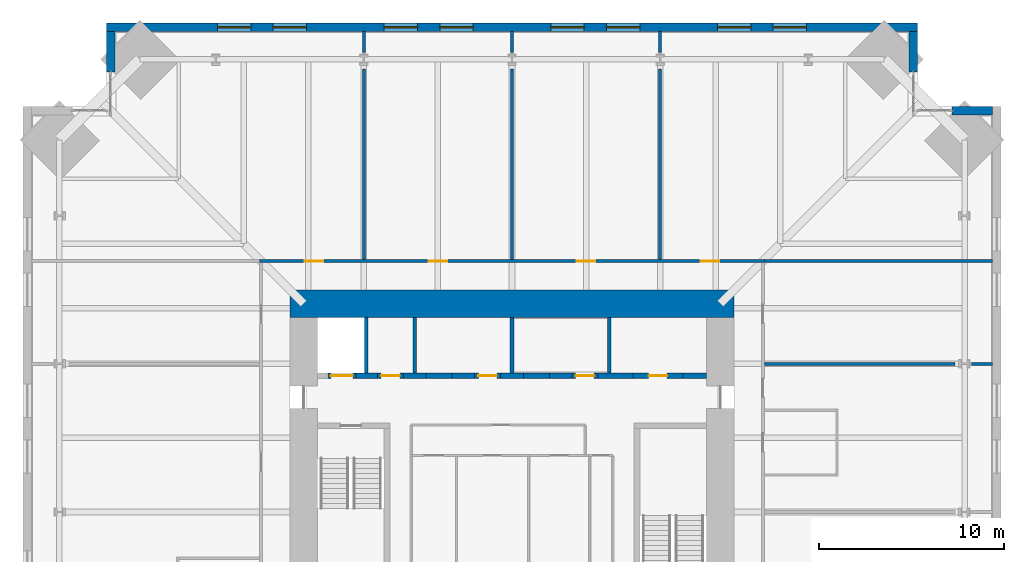
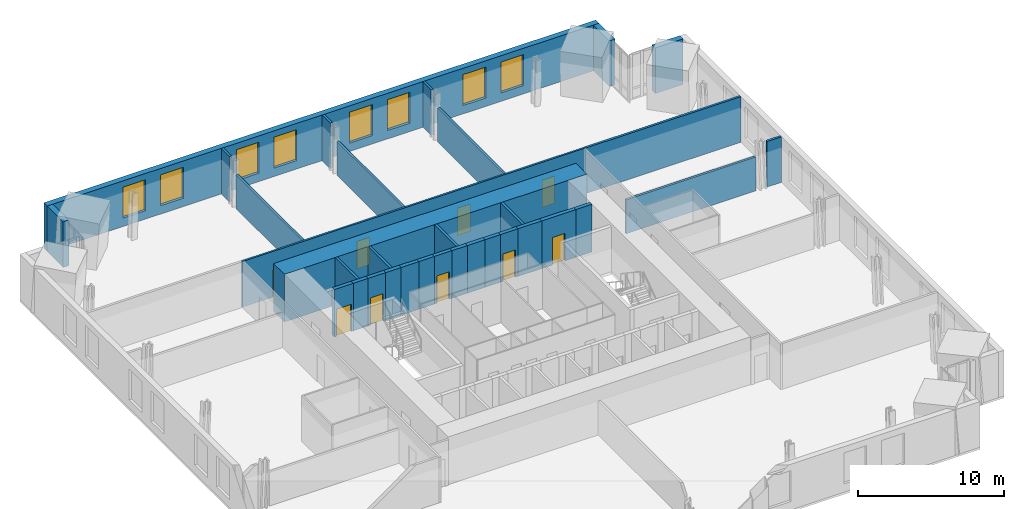
# One storey, part 16 of 18: 33 walls, 9 doors, 8 windows, 17 openings.
"""IFC4 building model written with IfcOpenShell, lengths in metres."""

from ifc_helpers import new_model, si_unit, direction, frame, frame_2d, origin, place, context, subcontext, project, spatial, rectangle, extrude, material, layer, layer_set, type_object, element, fill, save


model = new_model("IFC4")

# Units and contexts
model_context = context("Model", 3, precision=1e-05, world=origin(), true_north=direction((0.0, 1.0)))
body_context = subcontext(model_context, "Body", "Model", "MODEL_VIEW")
ifc_project = project(units=[si_unit("LENGTHUNIT", "METRE"), si_unit("AREAUNIT", "SQUARE_METRE"), si_unit("VOLUMEUNIT", "CUBIC_METRE"), si_unit("PLANEANGLEUNIT", "RADIAN"), si_unit("MASSUNIT", "GRAM", prefix="KILO")], contexts=[model_context])

# Site, building, storey
site_placement = place(None, origin())
site = spatial("IfcSite", under=ifc_project, at=site_placement, CompositionType="ELEMENT")
building_placement = place(site_placement, origin())
building = spatial("IfcBuilding", under=site, at=building_placement, Name="Peilmerk Tower", CompositionType="ELEMENT")
storey_placement = place(building_placement, frame((0.0, 0.0, 159.800048828125)))
storey = spatial("IfcBuildingStorey", under=building, at=storey_placement, Name="L33", CompositionType="ELEMENT", Elevation=159.800048828125)

# Wall, openings, windows
ifc_material_1 = material(Name="Precast concrete C45/55, board-marked finish", Category="concrete")
ifc_layer_1 = layer(ifc_material_1, 0.449951171875)
ifc_layer_set_1 = layer_set([ifc_layer_1], Name="Precast concrete C45/55, board-marked finish")
wall_type_1 = type_object("IfcWallType", Name="EW1 450 precast concrete facade wall, board-marked", PredefinedType="SOLIDWALL", material=ifc_layer_set_1)
wall_1_placement = place(storey_placement, frame((21.89990234375, 26.175048828125, 0.0), z_axis=(0.0, 0.0, 1.0), x_axis=(-1.0, 0.0, 0.0)))
wall_1 = element("IfcWall", 1, at=wall_1_placement, inside=storey, type_object=wall_type_1, Name="Facade wall N L33", PredefinedType="SOLIDWALL", context=body_context, shape_type="SweptSolid", body=[
    extrude(rectangle(XDim=43.7998046875, YDim=0.449951171875, at=frame_2d((21.89990234375, 0.0))), origin(), (0.0, 0.0, 1.0), 3.829833984375),
])
opening_1_placement = place(wall_1_placement, frame((6.0, 0.0, 0.699951171875)))
opening_1 = element("IfcOpeningElement", 2, at=opening_1_placement, cuts=wall_1, Name="Opening W1", PredefinedType="OPENING", context=body_context, shape_type="SweptSolid", body=[
    extrude(rectangle(XDim=1.800048828125, YDim=2.60009765625, at=frame_2d((0.89990234375, 1.300048828125))), frame((0.0, 0.23486328125, 0.0), z_axis=(0.0, -1.0, 0.0), x_axis=(1.0, 0.0, 0.0)), (0.0, 0.0, 1.0), 0.469970703125),
])
opening_2_placement = place(wall_1_placement, frame((9.0, 0.0, 0.699951171875)))
opening_2 = element("IfcOpeningElement", 3, at=opening_2_placement, cuts=wall_1, Name="Opening W1", PredefinedType="OPENING", context=body_context, shape_type="SweptSolid", body=[
    extrude(rectangle(XDim=1.800048828125, YDim=2.60009765625, at=frame_2d((0.89990234375, 1.300048828125))), frame((0.0, 0.23486328125, 0.0), z_axis=(0.0, -1.0, 0.0), x_axis=(1.0, 0.0, 0.0)), (0.0, 0.0, 1.0), 0.469970703125),
])
opening_3_placement = place(wall_1_placement, frame((15.0, 0.0, 0.699951171875)))
opening_3 = element("IfcOpeningElement", 4, at=opening_3_placement, cuts=wall_1, Name="Opening W1", PredefinedType="OPENING", context=body_context, shape_type="SweptSolid", body=[
    extrude(rectangle(XDim=1.800048828125, YDim=2.60009765625, at=frame_2d((0.89990234375, 1.300048828125))), frame((0.0, 0.23486328125, 0.0), z_axis=(0.0, -1.0, 0.0), x_axis=(1.0, 0.0, 0.0)), (0.0, 0.0, 1.0), 0.469970703125),
])
opening_4_placement = place(wall_1_placement, frame((18.0, 0.0, 0.699951171875)))
opening_4 = element("IfcOpeningElement", 5, at=opening_4_placement, cuts=wall_1, Name="Opening W1", PredefinedType="OPENING", context=body_context, shape_type="SweptSolid", body=[
    extrude(rectangle(XDim=1.800048828125, YDim=2.60009765625, at=frame_2d((0.89990234375, 1.300048828125))), frame((0.0, 0.23486328125, 0.0), z_axis=(0.0, -1.0, 0.0), x_axis=(1.0, 0.0, 0.0)), (0.0, 0.0, 1.0), 0.469970703125),
])
opening_5_placement = place(wall_1_placement, frame((24.0, 0.0, 0.699951171875)))
opening_5 = element("IfcOpeningElement", 6, at=opening_5_placement, cuts=wall_1, Name="Opening W1", PredefinedType="OPENING", context=body_context, shape_type="SweptSolid", body=[
    extrude(rectangle(XDim=1.800048828125, YDim=2.60009765625, at=frame_2d((0.89990234375, 1.300048828125))), frame((0.0, 0.23486328125, 0.0), z_axis=(0.0, -1.0, 0.0), x_axis=(1.0, 0.0, 0.0)), (0.0, 0.0, 1.0), 0.469970703125),
])
opening_6_placement = place(wall_1_placement, frame((27.0, 0.0, 0.699951171875)))
opening_6 = element("IfcOpeningElement", 7, at=opening_6_placement, cuts=wall_1, Name="Opening W1", PredefinedType="OPENING", context=body_context, shape_type="SweptSolid", body=[
    extrude(rectangle(XDim=1.800048828125, YDim=2.60009765625, at=frame_2d((0.89990234375, 1.300048828125))), frame((0.0, 0.23486328125, 0.0), z_axis=(0.0, -1.0, 0.0), x_axis=(1.0, 0.0, 0.0)), (0.0, 0.0, 1.0), 0.469970703125),
])
opening_7_placement = place(wall_1_placement, frame((33.0, 0.0, 0.699951171875)))
opening_7 = element("IfcOpeningElement", 8, at=opening_7_placement, cuts=wall_1, Name="Opening W1", PredefinedType="OPENING", context=body_context, shape_type="SweptSolid", body=[
    extrude(rectangle(XDim=1.800048828125, YDim=2.60009765625, at=frame_2d((0.89990234375, 1.300048828125))), frame((0.0, 0.23486328125, 0.0), z_axis=(0.0, -1.0, 0.0), x_axis=(1.0, 0.0, 0.0)), (0.0, 0.0, 1.0), 0.469970703125),
])
opening_8_placement = place(wall_1_placement, frame((36.0, 0.0, 0.699951171875)))
opening_8 = element("IfcOpeningElement", 9, at=opening_8_placement, cuts=wall_1, Name="Opening W1", PredefinedType="OPENING", context=body_context, shape_type="SweptSolid", body=[
    extrude(rectangle(XDim=1.800048828125, YDim=2.60009765625, at=frame_2d((0.89990234375, 1.300048828125))), frame((0.0, 0.23486328125, 0.0), z_axis=(0.0, -1.0, 0.0), x_axis=(1.0, 0.0, 0.0)), (0.0, 0.0, 1.0), 0.469970703125),
])
ifc_material_2 = material(Name="Aluminium frame, clear double glazing", Category="aluminium")
window_type = type_object("IfcWindowType", Name="W1 1800x2600 office window", PartitioningType="SINGLE_PANEL", PredefinedType="WINDOW", material=ifc_material_2)
window_1_placement = place(opening_1_placement, origin())
window_1 = element("IfcWindow", 10, at=window_1_placement, inside=storey, type_object=window_type, Name="Window W1 L33", OverallHeight=2.60009765625, OverallWidth=1.800048828125, PartitioningType="SINGLE_PANEL", PredefinedType="WINDOW", context=body_context, shape_type="SweptSolid", body=[
    extrude(rectangle(XDim=1.800048828125, YDim=2.60009765625, at=frame_2d((0.89990234375, 1.300048828125))), frame((0.0, 0.030029296875, 0.0), z_axis=(0.0, -1.0, 0.0), x_axis=(1.0, 0.0, 0.0)), (0.0, 0.0, 1.0), 0.06005859375),
])
fill(opening_1, window_1)
window_2_placement = place(opening_2_placement, origin())
window_2 = element("IfcWindow", 11, at=window_2_placement, inside=storey, type_object=window_type, Name="Window W1 L33", OverallHeight=2.60009765625, OverallWidth=1.800048828125, PartitioningType="SINGLE_PANEL", PredefinedType="WINDOW", context=body_context, shape_type="SweptSolid", body=[
    extrude(rectangle(XDim=1.800048828125, YDim=2.60009765625, at=frame_2d((0.89990234375, 1.300048828125))), frame((0.0, 0.030029296875, 0.0), z_axis=(0.0, -1.0, 0.0), x_axis=(1.0, 0.0, 0.0)), (0.0, 0.0, 1.0), 0.06005859375),
])
fill(opening_2, window_2)
window_3_placement = place(opening_3_placement, origin())
window_3 = element("IfcWindow", 12, at=window_3_placement, inside=storey, type_object=window_type, Name="Window W1 L33", OverallHeight=2.60009765625, OverallWidth=1.800048828125, PartitioningType="SINGLE_PANEL", PredefinedType="WINDOW", context=body_context, shape_type="SweptSolid", body=[
    extrude(rectangle(XDim=1.800048828125, YDim=2.60009765625, at=frame_2d((0.89990234375, 1.300048828125))), frame((0.0, 0.030029296875, 0.0), z_axis=(0.0, -1.0, 0.0), x_axis=(1.0, 0.0, 0.0)), (0.0, 0.0, 1.0), 0.06005859375),
])
fill(opening_3, window_3)
window_4_placement = place(opening_4_placement, origin())
window_4 = element("IfcWindow", 13, at=window_4_placement, inside=storey, type_object=window_type, Name="Window W1 L33", OverallHeight=2.60009765625, OverallWidth=1.800048828125, PartitioningType="SINGLE_PANEL", PredefinedType="WINDOW", context=body_context, shape_type="SweptSolid", body=[
    extrude(rectangle(XDim=1.800048828125, YDim=2.60009765625, at=frame_2d((0.89990234375, 1.300048828125))), frame((0.0, 0.030029296875, 0.0), z_axis=(0.0, -1.0, 0.0), x_axis=(1.0, 0.0, 0.0)), (0.0, 0.0, 1.0), 0.06005859375),
])
fill(opening_4, window_4)
window_5_placement = place(opening_5_placement, origin())
window_5 = element("IfcWindow", 14, at=window_5_placement, inside=storey, type_object=window_type, Name="Window W1 L33", OverallHeight=2.60009765625, OverallWidth=1.800048828125, PartitioningType="SINGLE_PANEL", PredefinedType="WINDOW", context=body_context, shape_type="SweptSolid", body=[
    extrude(rectangle(XDim=1.800048828125, YDim=2.60009765625, at=frame_2d((0.89990234375, 1.300048828125))), frame((0.0, 0.030029296875, 0.0), z_axis=(0.0, -1.0, 0.0), x_axis=(1.0, 0.0, 0.0)), (0.0, 0.0, 1.0), 0.06005859375),
])
fill(opening_5, window_5)
window_6_placement = place(opening_6_placement, origin())
window_6 = element("IfcWindow", 15, at=window_6_placement, inside=storey, type_object=window_type, Name="Window W1 L33", OverallHeight=2.60009765625, OverallWidth=1.800048828125, PartitioningType="SINGLE_PANEL", PredefinedType="WINDOW", context=body_context, shape_type="SweptSolid", body=[
    extrude(rectangle(XDim=1.800048828125, YDim=2.60009765625, at=frame_2d((0.89990234375, 1.300048828125))), frame((0.0, 0.030029296875, 0.0), z_axis=(0.0, -1.0, 0.0), x_axis=(1.0, 0.0, 0.0)), (0.0, 0.0, 1.0), 0.06005859375),
])
fill(opening_6, window_6)
window_7_placement = place(opening_7_placement, origin())
window_7 = element("IfcWindow", 16, at=window_7_placement, inside=storey, type_object=window_type, Name="Window W1 L33", OverallHeight=2.60009765625, OverallWidth=1.800048828125, PartitioningType="SINGLE_PANEL", PredefinedType="WINDOW", context=body_context, shape_type="SweptSolid", body=[
    extrude(rectangle(XDim=1.800048828125, YDim=2.60009765625, at=frame_2d((0.89990234375, 1.300048828125))), frame((0.0, 0.030029296875, 0.0), z_axis=(0.0, -1.0, 0.0), x_axis=(1.0, 0.0, 0.0)), (0.0, 0.0, 1.0), 0.06005859375),
])
fill(opening_7, window_7)
window_8_placement = place(opening_8_placement, origin())
window_8 = element("IfcWindow", 17, at=window_8_placement, inside=storey, type_object=window_type, Name="Window W1 L33", OverallHeight=2.60009765625, OverallWidth=1.800048828125, PartitioningType="SINGLE_PANEL", PredefinedType="WINDOW", context=body_context, shape_type="SweptSolid", body=[
    extrude(rectangle(XDim=1.800048828125, YDim=2.60009765625, at=frame_2d((0.89990234375, 1.300048828125))), frame((0.0, 0.030029296875, 0.0), z_axis=(0.0, -1.0, 0.0), x_axis=(1.0, 0.0, 0.0)), (0.0, 0.0, 1.0), 0.06005859375),
])
fill(opening_8, window_8)

# Walls
for number, where, z_axis, x_axis, name in (
    (18, (21.675048828125, 23.753662109375, 0.0), (0.0, 0.0, 1.0), (0.0, 1.0, 0.0), "Facade wall NEA L33"),
    (19, (23.753662109375, 21.675048828125, 0.0), (0.0, 0.0, 1.0), (1.0, 0.0, 0.0), "Facade wall NEB L33"),
    (20, (-21.675048828125, 23.753662109375, 0.0), (0.0, 0.0, 1.0), (0.0, 1.0, 0.0), "Facade wall NWA L33"),
):
    element("IfcWall", number, at=place(storey_placement, frame(where, z_axis=z_axis, x_axis=x_axis)), inside=storey, type_object=wall_type_1, Name=name, PredefinedType="SOLIDWALL", context=body_context, shape_type="SweptSolid", body=[
        extrude(rectangle(XDim=2.1962890625, YDim=0.449951171875, at=frame_2d((1.09814453125, 0.0))), origin(), (0.0, 0.0, 1.0), 3.829833984375),
    ])

# Wall, openings, doors
ifc_material_3 = material(Name="Calcium silicate block", Category="masonry")
ifc_layer_2 = layer(ifc_material_3, 0.14990234375)
ifc_layer_set_2 = layer_set([ifc_layer_2], Name="Calcium silicate block")
wall_type_2 = type_object("IfcWallType", Name="IW1 150 corridor partition, EI 60", PredefinedType="PARTITIONING", material=ifc_layer_set_2)
wall_2_placement = place(storey_placement, frame((-13.625, 13.550048828125, 0.0), z_axis=(0.0, 0.0, 1.0), x_axis=(1.0, 0.0, 0.0)))
wall_2 = element("IfcWall", 21, at=wall_2_placement, inside=storey, type_object=wall_type_2, Name="Corridor wall N L33", PredefinedType="PARTITIONING", context=body_context, shape_type="SweptSolid", body=[
    extrude(rectangle(XDim=27.25, YDim=0.14990234375, at=frame_2d((13.625, 0.0))), origin(), (0.0, 0.0, 1.0), 3.829833984375),
])
opening_9_placement = place(wall_2_placement, frame((2.425048828125, 0.0, 0.0)))
opening_9 = element("IfcOpeningElement", 22, at=opening_9_placement, cuts=wall_2, Name="Opening D1", PredefinedType="OPENING", context=body_context, shape_type="SweptSolid", body=[
    extrude(rectangle(XDim=1.0, YDim=2.300048828125, at=frame_2d((0.5, 1.14990234375))), frame((0.0, 0.0849609375, 0.0), z_axis=(0.0, -1.0, 0.0), x_axis=(1.0, 0.0, 0.0)), (0.0, 0.0, 1.0), 0.169921875),
])
opening_10_placement = place(wall_2_placement, frame((9.125, 0.0, 0.0)))
opening_10 = element("IfcOpeningElement", 23, at=opening_10_placement, cuts=wall_2, Name="Opening D1", PredefinedType="OPENING", context=body_context, shape_type="SweptSolid", body=[
    extrude(rectangle(XDim=1.0, YDim=2.300048828125, at=frame_2d((0.5, 1.14990234375))), frame((0.0, 0.0849609375, 0.0), z_axis=(0.0, -1.0, 0.0), x_axis=(1.0, 0.0, 0.0)), (0.0, 0.0, 1.0), 0.169921875),
])
opening_11_placement = place(wall_2_placement, frame((17.125, 0.0, 0.0)))
opening_11 = element("IfcOpeningElement", 24, at=opening_11_placement, cuts=wall_2, Name="Opening D1", PredefinedType="OPENING", context=body_context, shape_type="SweptSolid", body=[
    extrude(rectangle(XDim=1.0, YDim=2.300048828125, at=frame_2d((0.5, 1.14990234375))), frame((0.0, 0.0849609375, 0.0), z_axis=(0.0, -1.0, 0.0), x_axis=(1.0, 0.0, 0.0)), (0.0, 0.0, 1.0), 0.169921875),
])
opening_12_placement = place(wall_2_placement, frame((23.824951171875, 0.0, 0.0)))
opening_12 = element("IfcOpeningElement", 25, at=opening_12_placement, cuts=wall_2, Name="Opening D1", PredefinedType="OPENING", context=body_context, shape_type="SweptSolid", body=[
    extrude(rectangle(XDim=1.0, YDim=2.300048828125, at=frame_2d((0.5, 1.14990234375))), frame((0.0, 0.0849609375, 0.0), z_axis=(0.0, -1.0, 0.0), x_axis=(1.0, 0.0, 0.0)), (0.0, 0.0, 1.0), 0.169921875),
])
ifc_material_4 = material(Name="Timber door in steel frame", Category="steel")
door_type_1 = type_object("IfcDoorType", Name="D1 1000x2300 room door, EI2 30", OperationType="SINGLE_SWING_LEFT", PredefinedType="DOOR", material=ifc_material_4)
door_1_placement = place(opening_9_placement, origin())
door_1 = element("IfcDoor", 26, at=door_1_placement, inside=storey, type_object=door_type_1, Name="Door Office L33", OperationType="SINGLE_SWING_LEFT", OverallHeight=2.300048828125, OverallWidth=1.0, PredefinedType="DOOR", context=body_context, shape_type="SweptSolid", body=[
    extrude(rectangle(XDim=1.0, YDim=2.300048828125, at=frame_2d((0.5, 1.14990234375))), frame((0.0, 0.02490234375, 0.0), z_axis=(0.0, -1.0, 0.0), x_axis=(1.0, 0.0, 0.0)), (0.0, 0.0, 1.0), 0.050048828125),
])
fill(opening_9, door_1)
door_2_placement = place(opening_10_placement, origin())
door_2 = element("IfcDoor", 27, at=door_2_placement, inside=storey, type_object=door_type_1, Name="Door Office L33", OperationType="SINGLE_SWING_LEFT", OverallHeight=2.300048828125, OverallWidth=1.0, PredefinedType="DOOR", context=body_context, shape_type="SweptSolid", body=[
    extrude(rectangle(XDim=1.0, YDim=2.300048828125, at=frame_2d((0.5, 1.14990234375))), frame((0.0, 0.02490234375, 0.0), z_axis=(0.0, -1.0, 0.0), x_axis=(1.0, 0.0, 0.0)), (0.0, 0.0, 1.0), 0.050048828125),
])
fill(opening_10, door_2)
door_3_placement = place(opening_11_placement, origin())
door_3 = element("IfcDoor", 28, at=door_3_placement, inside=storey, type_object=door_type_1, Name="Door Office L33", OperationType="SINGLE_SWING_LEFT", OverallHeight=2.300048828125, OverallWidth=1.0, PredefinedType="DOOR", context=body_context, shape_type="SweptSolid", body=[
    extrude(rectangle(XDim=1.0, YDim=2.300048828125, at=frame_2d((0.5, 1.14990234375))), frame((0.0, 0.02490234375, 0.0), z_axis=(0.0, -1.0, 0.0), x_axis=(1.0, 0.0, 0.0)), (0.0, 0.0, 1.0), 0.050048828125),
])
fill(opening_11, door_3)
door_4_placement = place(opening_12_placement, origin())
door_4 = element("IfcDoor", 29, at=door_4_placement, inside=storey, type_object=door_type_1, Name="Door Office L33", OperationType="SINGLE_SWING_LEFT", OverallHeight=2.300048828125, OverallWidth=1.0, PredefinedType="DOOR", context=body_context, shape_type="SweptSolid", body=[
    extrude(rectangle(XDim=1.0, YDim=2.300048828125, at=frame_2d((0.5, 1.14990234375))), frame((0.0, 0.02490234375, 0.0), z_axis=(0.0, -1.0, 0.0), x_axis=(1.0, 0.0, 0.0)), (0.0, 0.0, 1.0), 0.050048828125),
])
fill(opening_12, door_4)

# Walls
ifc_layer_3 = layer(ifc_material_3, 0.175048828125)
ifc_layer_set_3 = layer_set([ifc_layer_3], Name="Calcium silicate block")
wall_type_3 = type_object("IfcWallType", Name="IW8 175 tenant separating wall, EI 60", PredefinedType="PARTITIONING", material=ifc_layer_set_3)
wall_3_placement = place(storey_placement, frame((13.625, 13.550048828125, 0.0), z_axis=(0.0, 0.0, 1.0), x_axis=(1.0, 0.0, 0.0)))
element("IfcWall", 30, at=wall_3_placement, inside=storey, type_object=wall_type_3, Name="Tenant separating wall NE L33", PredefinedType="PARTITIONING", context=body_context, shape_type="SweptSolid", body=[
    extrude(rectangle(XDim=12.324951171875, YDim=0.175048828125, at=frame_2d((6.16259765625, 0.0))), origin(), (0.0, 0.0, 1.0), 3.829833984375),
])
wall_4_placement = place(storey_placement, frame((-8.0, 13.625, 0.0), z_axis=(0.0, 0.0, 1.0), x_axis=(0.0, 1.0, 0.0)))
element("IfcWall", 31, at=wall_4_placement, inside=storey, type_object=wall_type_3, Name="Tenant separating wall N1 L33", PredefinedType="PARTITIONING", context=body_context, shape_type="SweptSolid", body=[
    extrude(rectangle(XDim=10.302978515625, YDim=0.175048828125, at=frame_2d((5.1513671875, 0.0))), origin(), (0.0, 0.0, 1.0), 2.83984375),
])
wall_5_placement = place(storey_placement, frame((-8.0, 24.817138671875, 0.0), z_axis=(0.0, 0.0, 1.0), x_axis=(0.0, 1.0, 0.0)))
element("IfcWall", 32, at=wall_5_placement, inside=storey, type_object=wall_type_3, Name="Tenant separating wall N1b L33", PredefinedType="PARTITIONING", context=body_context, shape_type="SweptSolid", body=[
    extrude(rectangle(XDim=1.1328125, YDim=0.175048828125, at=frame_2d((0.56640625, 0.0))), origin(), (0.0, 0.0, 1.0), 3.829833984375),
])
wall_6_placement = place(storey_placement, frame((0.0, 13.625, 0.0), z_axis=(0.0, 0.0, 1.0), x_axis=(0.0, 1.0, 0.0)))
element("IfcWall", 33, at=wall_6_placement, inside=storey, type_object=wall_type_3, Name="Tenant separating wall N2 L33", PredefinedType="PARTITIONING", context=body_context, shape_type="SweptSolid", body=[
    extrude(rectangle(XDim=10.302978515625, YDim=0.175048828125, at=frame_2d((5.1513671875, 0.0))), origin(), (0.0, 0.0, 1.0), 2.83984375),
])
wall_7_placement = place(storey_placement, frame((0.0, 24.817138671875, 0.0), z_axis=(0.0, 0.0, 1.0), x_axis=(0.0, 1.0, 0.0)))
element("IfcWall", 34, at=wall_7_placement, inside=storey, type_object=wall_type_3, Name="Tenant separating wall N2b L33", PredefinedType="PARTITIONING", context=body_context, shape_type="SweptSolid", body=[
    extrude(rectangle(XDim=1.1328125, YDim=0.175048828125, at=frame_2d((0.56640625, 0.0))), origin(), (0.0, 0.0, 1.0), 3.829833984375),
])
wall_8_placement = place(storey_placement, frame((8.0, 13.625, 0.0), z_axis=(0.0, 0.0, 1.0), x_axis=(0.0, 1.0, 0.0)))
element("IfcWall", 35, at=wall_8_placement, inside=storey, type_object=wall_type_3, Name="Tenant separating wall N3 L33", PredefinedType="PARTITIONING", context=body_context, shape_type="SweptSolid", body=[
    extrude(rectangle(XDim=10.302978515625, YDim=0.175048828125, at=frame_2d((5.1513671875, 0.0))), origin(), (0.0, 0.0, 1.0), 2.83984375),
])
wall_9_placement = place(storey_placement, frame((8.0, 24.817138671875, 0.0), z_axis=(0.0, 0.0, 1.0), x_axis=(0.0, 1.0, 0.0)))
element("IfcWall", 36, at=wall_9_placement, inside=storey, type_object=wall_type_3, Name="Tenant separating wall N3b L33", PredefinedType="PARTITIONING", context=body_context, shape_type="SweptSolid", body=[
    extrude(rectangle(XDim=1.1328125, YDim=0.175048828125, at=frame_2d((0.56640625, 0.0))), origin(), (0.0, 0.0, 1.0), 3.829833984375),
])
wall_10_placement = place(storey_placement, frame((13.625, 8.0, 0.0), z_axis=(0.0, 0.0, 1.0), x_axis=(1.0, 0.0, 0.0)))
element("IfcWall", 37, at=wall_10_placement, inside=storey, type_object=wall_type_3, Name="Tenant separating wall E2 L33", PredefinedType="PARTITIONING", context=body_context, shape_type="SweptSolid", body=[
    extrude(rectangle(XDim=10.302978515625, YDim=0.175048828125, at=frame_2d((5.1513671875, 0.0))), origin(), (0.0, 0.0, 1.0), 2.83984375),
])
wall_11_placement = place(storey_placement, frame((24.817138671875, 8.0, 0.0), z_axis=(0.0, 0.0, 1.0), x_axis=(1.0, 0.0, 0.0)))
element("IfcWall", 38, at=wall_11_placement, inside=storey, type_object=wall_type_3, Name="Tenant separating wall E2b L33", PredefinedType="PARTITIONING", context=body_context, shape_type="SweptSolid", body=[
    extrude(rectangle(XDim=1.1328125, YDim=0.175048828125, at=frame_2d((0.56640625, 0.0))), origin(), (0.0, 0.0, 1.0), 3.829833984375),
])
ifc_layer_4 = layer(ifc_material_3, 0.199951171875)
ifc_layer_set_4 = layer_set([ifc_layer_4], Name="Calcium silicate block")
wall_type_4 = type_object("IfcWallType", Name="SH1 200 shaft dividing wall, EI 120", PredefinedType="PARTITIONING", material=ifc_layer_set_4)
for number, where, z_axis, x_axis, name in (
    (39, (-7.875, 7.5, 0.0), (0.0, 0.0, 1.0), (0.0, 1.0, 0.0), "Shaft wall N FL1 L33"),
    (40, (-5.25, 7.5, 0.0), (0.0, 0.0, 1.0), (0.0, 1.0, 0.0), "Shaft wall N A1 L33"),
    (41, (0.0, 7.5, 0.0), (0.0, 0.0, 1.0), (0.0, 1.0, 0.0), "Shaft wall N A3 L33"),
    (42, (5.25, 7.5, 0.0), (0.0, 0.0, 1.0), (0.0, 1.0, 0.0), "Shaft wall N S2 L33"),
):
    element("IfcWall", number, at=place(storey_placement, frame(where, z_axis=z_axis, x_axis=x_axis)), inside=storey, type_object=wall_type_4, Name=name, PredefinedType="PARTITIONING", context=body_context, shape_type="SweptSolid", body=[
        extrude(rectangle(XDim=3.0, YDim=0.199951171875, at=frame_2d((1.5, 0.0))), origin(), (0.0, 0.0, 1.0), 4.0),
    ])

# Wall, opening, door
ifc_layer_5 = layer(ifc_material_3, 0.300048828125)
ifc_layer_set_5 = layer_set([ifc_layer_5], Name="Calcium silicate block")
wall_type_5 = type_object("IfcWallType", Name="SH2 300 lift landing door panel, EI 120", PredefinedType="PARTITIONING", material=ifc_layer_set_5)
wall_12_placement = place(storey_placement, frame((-9.9375, 7.35009765625, 0.0), z_axis=(0.0, 0.0, 1.0), x_axis=(1.0, 0.0, 0.0)))
wall_12 = element("IfcWall", 43, at=wall_12_placement, inside=storey, type_object=wall_type_5, Name="Lift door panel N FL1 L33", PredefinedType="PARTITIONING", context=body_context, shape_type="SweptSolid", body=[
    extrude(rectangle(XDim=1.5, YDim=0.300048828125, at=frame_2d((0.75, 0.0))), origin(), (0.0, 0.0, 1.0), 4.0),
])
opening_13_placement = place(wall_12_placement, frame((0.14990234375, 0.0, 0.0)))
opening_13 = element("IfcOpeningElement", 44, at=opening_13_placement, cuts=wall_12, Name="Opening LD2", PredefinedType="OPENING", context=body_context, shape_type="SweptSolid", body=[
    extrude(rectangle(XDim=1.199951171875, YDim=2.300048828125, at=frame_2d((0.60009765625, 1.14990234375))), frame((0.0, 0.159912109375, 0.0), z_axis=(0.0, -1.0, 0.0), x_axis=(1.0, 0.0, 0.0)), (0.0, 0.0, 1.0), 0.320068359375),
])
ifc_material_5 = material(Name="Stainless steel landing door", Category="steel")
door_type_2 = type_object("IfcDoorType", Name="LD2 1200x2300 lift landing door, sliding, EI2 60", OperationType="SLIDING_TO_LEFT", PredefinedType="DOOR", material=ifc_material_5)
door_5_placement = place(opening_13_placement, frame((1.199951171875, 0.0, 0.0), z_axis=(0.0, 0.0, 1.0), x_axis=(-1.0, 0.0, 0.0)))
door_5 = element("IfcDoor", 45, at=door_5_placement, inside=storey, type_object=door_type_2, Name="Lift landing door FL1 L33", OperationType="SLIDING_TO_LEFT", OverallHeight=2.300048828125, OverallWidth=1.199951171875, PredefinedType="DOOR", context=body_context, shape_type="SweptSolid", body=[
    extrude(rectangle(XDim=1.199951171875, YDim=2.300048828125, at=frame_2d((0.60009765625, 1.14990234375))), frame((0.0, 0.02490234375, 0.0), z_axis=(0.0, -1.0, 0.0), x_axis=(1.0, 0.0, 0.0)), (0.0, 0.0, 1.0), 0.050048828125),
])
fill(opening_13, door_5)

wall_13_placement = place(storey_placement, frame((-7.262451171875, 7.35009765625, 0.0), z_axis=(0.0, 0.0, 1.0), x_axis=(1.0, 0.0, 0.0)))
wall_13 = element("IfcWall", 46, at=wall_13_placement, inside=storey, type_object=wall_type_5, Name="Lift door panel N A1 L33", PredefinedType="PARTITIONING", context=body_context, shape_type="SweptSolid", body=[
    extrude(rectangle(XDim=1.39990234375, YDim=0.300048828125, at=frame_2d((0.699951171875, 0.0))), origin(), (0.0, 0.0, 1.0), 4.0),
])
opening_14_placement = place(wall_13_placement, frame((0.199951171875, 0.0, 0.0)))
opening_14 = element("IfcOpeningElement", 47, at=opening_14_placement, cuts=wall_13, Name="Opening D10", PredefinedType="OPENING", context=body_context, shape_type="SweptSolid", body=[
    extrude(rectangle(XDim=1.0, YDim=2.300048828125, at=frame_2d((0.5, 1.14990234375))), frame((0.0, 0.159912109375, 0.0), z_axis=(0.0, -1.0, 0.0), x_axis=(1.0, 0.0, 0.0)), (0.0, 0.0, 1.0), 0.320068359375),
])
ifc_material_6 = material(Name="Steel door in steel frame", Category="steel")
door_type_3 = type_object("IfcDoorType", Name="D10 1000x2300 core room door, EI2 60", OperationType="SINGLE_SWING_RIGHT", PredefinedType="DOOR", material=ifc_material_6)
door_6_placement = place(opening_14_placement, origin())
door_6 = element("IfcDoor", 48, at=door_6_placement, inside=storey, type_object=door_type_3, Name="Door Water meter room L33", OperationType="SINGLE_SWING_RIGHT", OverallHeight=2.300048828125, OverallWidth=1.0, PredefinedType="DOOR", context=body_context, shape_type="SweptSolid", body=[
    extrude(rectangle(XDim=1.0, YDim=2.300048828125, at=frame_2d((0.5, 1.14990234375))), frame((0.0, 0.02490234375, 0.0), z_axis=(0.0, -1.0, 0.0), x_axis=(1.0, 0.0, 0.0)), (0.0, 0.0, 1.0), 0.050048828125),
])
fill(opening_14, door_6)

# Wall
wall_14_placement = place(storey_placement, frame((-4.637451171875, 7.35009765625, 0.0), z_axis=(0.0, 0.0, 1.0), x_axis=(1.0, 0.0, 0.0)))
element("IfcWall", 49, at=wall_14_placement, inside=storey, type_object=wall_type_5, Name="Lift door panel N A2 L33", PredefinedType="PARTITIONING", context=body_context, shape_type="SweptSolid", body=[
    extrude(rectangle(XDim=1.39990234375, YDim=0.300048828125, at=frame_2d((0.699951171875, 0.0))), origin(), (0.0, 0.0, 1.0), 4.0),
])

# Wall, opening, door
wall_15_placement = place(storey_placement, frame((-2.012451171875, 7.35009765625, 0.0), z_axis=(0.0, 0.0, 1.0), x_axis=(1.0, 0.0, 0.0)))
wall_15 = element("IfcWall", 50, at=wall_15_placement, inside=storey, type_object=wall_type_5, Name="Lift door panel N A3 L33", PredefinedType="PARTITIONING", context=body_context, shape_type="SweptSolid", body=[
    extrude(rectangle(XDim=1.39990234375, YDim=0.300048828125, at=frame_2d((0.699951171875, 0.0))), origin(), (0.0, 0.0, 1.0), 4.0),
])
opening_15_placement = place(wall_15_placement, frame((0.199951171875, 0.0, 0.0)))
opening_15 = element("IfcOpeningElement", 51, at=opening_15_placement, cuts=wall_15, Name="Opening D10", PredefinedType="OPENING", context=body_context, shape_type="SweptSolid", body=[
    extrude(rectangle(XDim=1.0, YDim=2.300048828125, at=frame_2d((0.5, 1.14990234375))), frame((0.0, 0.159912109375, 0.0), z_axis=(0.0, -1.0, 0.0), x_axis=(1.0, 0.0, 0.0)), (0.0, 0.0, 1.0), 0.320068359375),
])
door_7_placement = place(opening_15_placement, origin())
door_7 = element("IfcDoor", 52, at=door_7_placement, inside=storey, type_object=door_type_3, Name="Door Vending room L33", OperationType="SINGLE_SWING_RIGHT", OverallHeight=2.300048828125, OverallWidth=1.0, PredefinedType="DOOR", context=body_context, shape_type="SweptSolid", body=[
    extrude(rectangle(XDim=1.0, YDim=2.300048828125, at=frame_2d((0.5, 1.14990234375))), frame((0.0, 0.02490234375, 0.0), z_axis=(0.0, -1.0, 0.0), x_axis=(1.0, 0.0, 0.0)), (0.0, 0.0, 1.0), 0.050048828125),
])
fill(opening_15, door_7)

# Wall
wall_16_placement = place(storey_placement, frame((0.612548828125, 7.35009765625, 0.0), z_axis=(0.0, 0.0, 1.0), x_axis=(1.0, 0.0, 0.0)))
element("IfcWall", 53, at=wall_16_placement, inside=storey, type_object=wall_type_5, Name="Lift door panel N S1 L33", PredefinedType="PARTITIONING", context=body_context, shape_type="SweptSolid", body=[
    extrude(rectangle(XDim=1.39990234375, YDim=0.300048828125, at=frame_2d((0.699951171875, 0.0))), origin(), (0.0, 0.0, 1.0), 4.0),
])

# Wall, opening, door
wall_17_placement = place(storey_placement, frame((3.237548828125, 7.35009765625, 0.0), z_axis=(0.0, 0.0, 1.0), x_axis=(1.0, 0.0, 0.0)))
wall_17 = element("IfcWall", 54, at=wall_17_placement, inside=storey, type_object=wall_type_5, Name="Lift door panel N S2 L33", PredefinedType="PARTITIONING", context=body_context, shape_type="SweptSolid", body=[
    extrude(rectangle(XDim=1.39990234375, YDim=0.300048828125, at=frame_2d((0.699951171875, 0.0))), origin(), (0.0, 0.0, 1.0), 4.0),
])
opening_16_placement = place(wall_17_placement, frame((0.199951171875, 0.0, 0.0)))
opening_16 = element("IfcOpeningElement", 55, at=opening_16_placement, cuts=wall_17, Name="Opening D10", PredefinedType="OPENING", context=body_context, shape_type="SweptSolid", body=[
    extrude(rectangle(XDim=1.0, YDim=2.300048828125, at=frame_2d((0.5, 1.14990234375))), frame((0.0, 0.159912109375, 0.0), z_axis=(0.0, -1.0, 0.0), x_axis=(1.0, 0.0, 0.0)), (0.0, 0.0, 1.0), 0.320068359375),
])
door_8_placement = place(opening_16_placement, origin())
door_8 = element("IfcDoor", 56, at=door_8_placement, inside=storey, type_object=door_type_3, Name="Door Back-of-house office L33", OperationType="SINGLE_SWING_RIGHT", OverallHeight=2.300048828125, OverallWidth=1.0, PredefinedType="DOOR", context=body_context, shape_type="SweptSolid", body=[
    extrude(rectangle(XDim=1.0, YDim=2.300048828125, at=frame_2d((0.5, 1.14990234375))), frame((0.0, 0.02490234375, 0.0), z_axis=(0.0, -1.0, 0.0), x_axis=(1.0, 0.0, 0.0)), (0.0, 0.0, 1.0), 0.050048828125),
])
fill(opening_16, door_8)

wall_18_placement = place(storey_placement, frame((6.52490234375, 7.35009765625, 0.0), z_axis=(0.0, 0.0, 1.0), x_axis=(1.0, 0.0, 0.0)))
wall_18 = element("IfcWall", 57, at=wall_18_placement, inside=storey, type_object=wall_type_5, Name="Lift door panel N GL1 L33", PredefinedType="PARTITIONING", context=body_context, shape_type="SweptSolid", body=[
    extrude(rectangle(XDim=2.7001953125, YDim=0.300048828125, at=frame_2d((1.35009765625, 0.0))), origin(), (0.0, 0.0, 1.0), 4.0),
])
opening_17_placement = place(wall_18_placement, frame((0.85009765625, 0.0, 0.0)))
opening_17 = element("IfcOpeningElement", 58, at=opening_17_placement, cuts=wall_18, Name="Opening D10", PredefinedType="OPENING", context=body_context, shape_type="SweptSolid", body=[
    extrude(rectangle(XDim=1.0, YDim=2.300048828125, at=frame_2d((0.5, 1.14990234375))), frame((0.0, 0.159912109375, 0.0), z_axis=(0.0, -1.0, 0.0), x_axis=(1.0, 0.0, 0.0)), (0.0, 0.0, 1.0), 0.320068359375),
])
door_9_placement = place(opening_17_placement, origin())
door_9 = element("IfcDoor", 59, at=door_9_placement, inside=storey, type_object=door_type_3, Name="Door Staff WC L33", OperationType="SINGLE_SWING_RIGHT", OverallHeight=2.300048828125, OverallWidth=1.0, PredefinedType="DOOR", context=body_context, shape_type="SweptSolid", body=[
    extrude(rectangle(XDim=1.0, YDim=2.300048828125, at=frame_2d((0.5, 1.14990234375))), frame((0.0, 0.02490234375, 0.0), z_axis=(0.0, -1.0, 0.0), x_axis=(1.0, 0.0, 0.0)), (0.0, 0.0, 1.0), 0.050048828125),
])
fill(opening_17, door_9)

# Walls
ifc_material_7 = material(Name="Concrete C55/67", Category="concrete")
ifc_layer_6 = layer(ifc_material_7, 1.5)
ifc_layer_set_6 = layer_set([ifc_layer_6], Name="Concrete C55/67")
wall_type_6 = type_object("IfcWallType", Name="SW1 1500 core wall", PredefinedType="SHEAR", material=ifc_layer_set_6)
wall_19_placement = place(storey_placement, frame((-12.0, 11.25, 0.0), z_axis=(0.0, 0.0, 1.0), x_axis=(1.0, 0.0, 0.0)))
element("IfcWall", 60, at=wall_19_placement, inside=storey, type_object=wall_type_6, Name="Core wall N L33", PredefinedType="SHEAR", context=body_context, shape_type="SweptSolid", body=[
    extrude(rectangle(XDim=24.0, YDim=1.5, at=frame_2d((12.0, 0.0))), origin(), (0.0, 0.0, 1.0), 4.0),
])
ifc_layer_7 = layer(ifc_material_7, 0.300048828125)
ifc_layer_set_7 = layer_set([ifc_layer_7], Name="Concrete C55/67")
wall_type_7 = type_object("IfcWallType", Name="SW2 300 lift bank pier", PredefinedType="SHEAR", material=ifc_layer_set_7)
wall_20_placement = place(storey_placement, frame((-8.4375, 7.35009765625, 0.0), z_axis=(0.0, 0.0, 1.0), x_axis=(1.0, 0.0, 0.0)))
element("IfcWall", 61, at=wall_20_placement, inside=storey, type_object=wall_type_7, Name="Lift bank pier N L33", PredefinedType="SHEAR", context=body_context, shape_type="SweptSolid", body=[
    extrude(rectangle(XDim=1.175048828125, YDim=0.300048828125, at=frame_2d((0.58740234375, 0.0))), origin(), (0.0, 0.0, 1.0), 4.0),
])
for number, where, z_axis, x_axis, name in (
    (62, (-5.862548828125, 7.35009765625, 0.0), (0.0, 0.0, 1.0), (1.0, 0.0, 0.0), "Lift bank pier N L33"),
    (63, (-3.237548828125, 7.35009765625, 0.0), (0.0, 0.0, 1.0), (1.0, 0.0, 0.0), "Lift bank pier N L33"),
    (64, (-0.612548828125, 7.35009765625, 0.0), (0.0, 0.0, 1.0), (1.0, 0.0, 0.0), "Lift bank pier N L33"),
    (65, (2.012451171875, 7.35009765625, 0.0), (0.0, 0.0, 1.0), (1.0, 0.0, 0.0), "Lift bank pier N L33"),
):
    element("IfcWall", number, at=place(storey_placement, frame(where, z_axis=z_axis, x_axis=x_axis)), inside=storey, type_object=wall_type_7, Name=name, PredefinedType="SHEAR", context=body_context, shape_type="SweptSolid", body=[
        extrude(rectangle(XDim=1.22509765625, YDim=0.300048828125, at=frame_2d((0.612548828125, 0.0))), origin(), (0.0, 0.0, 1.0), 4.0),
    ])
wall_21_placement = place(storey_placement, frame((4.637451171875, 7.35009765625, 0.0), z_axis=(0.0, 0.0, 1.0), x_axis=(1.0, 0.0, 0.0)))
element("IfcWall", 66, at=wall_21_placement, inside=storey, type_object=wall_type_7, Name="Lift bank pier N L33", PredefinedType="SHEAR", context=body_context, shape_type="SweptSolid", body=[
    extrude(rectangle(XDim=1.887451171875, YDim=0.300048828125, at=frame_2d((0.94384765625, 0.0))), origin(), (0.0, 0.0, 1.0), 4.0),
])
wall_22_placement = place(storey_placement, frame((9.22509765625, 7.35009765625, 0.0), z_axis=(0.0, 0.0, 1.0), x_axis=(1.0, 0.0, 0.0)))
element("IfcWall", 67, at=wall_22_placement, inside=storey, type_object=wall_type_7, Name="Lift bank pier N L33", PredefinedType="SHEAR", context=body_context, shape_type="SweptSolid", body=[
    extrude(rectangle(XDim=1.27490234375, YDim=0.300048828125, at=frame_2d((0.637451171875, 0.0))), origin(), (0.0, 0.0, 1.0), 4.0),
])

save(model, "model.ifc")
